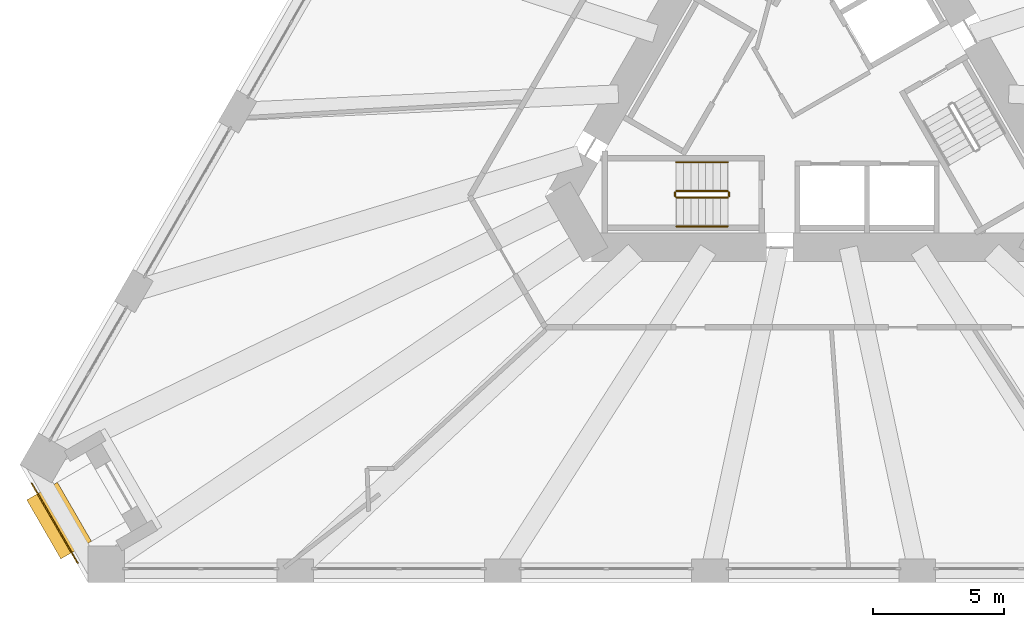
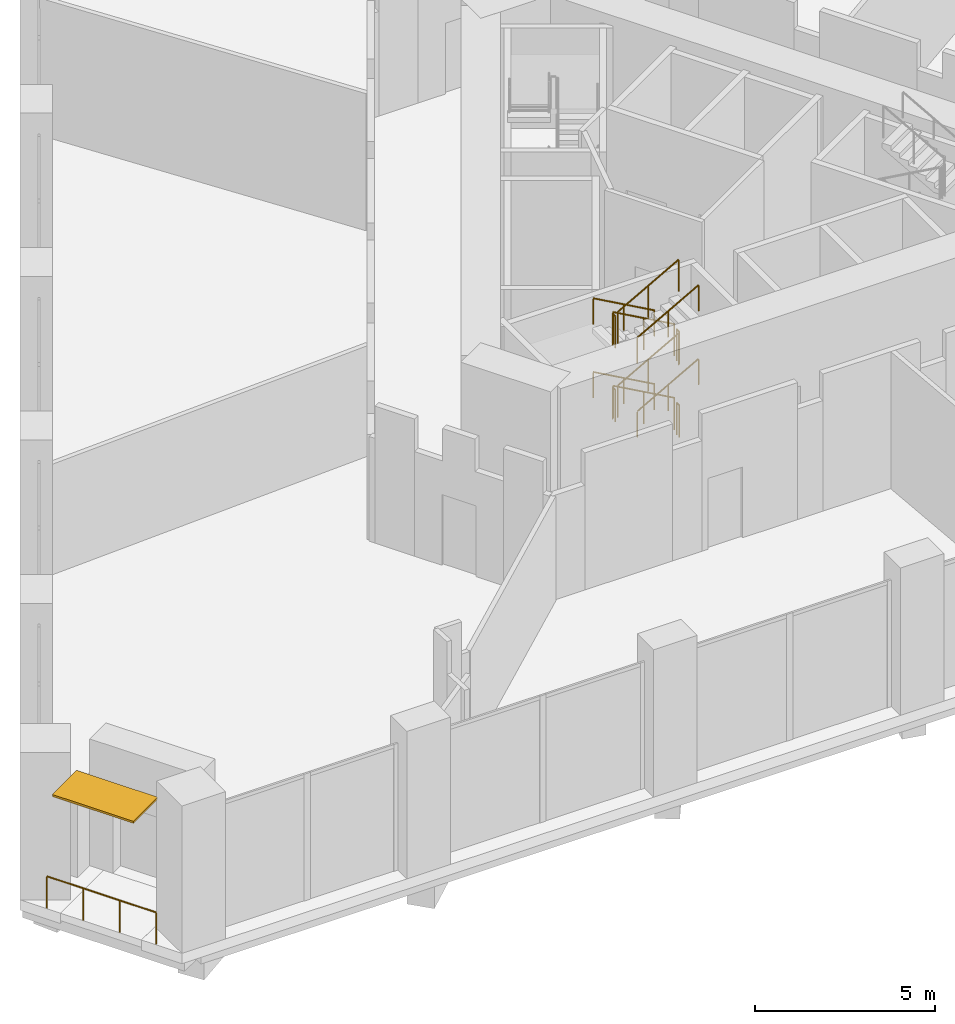
# One storey, part 17 of 20: 13 railings, 1 shading device.
"""IFC4 building model written with IfcOpenShell, lengths in metres."""

import ifcopenshell
import ifcopenshell.guid

model = None  # the IFC model being written
_history = None  # IfcOwnerHistory: only IFC2X3 demands one
_inside = {}  # id of a spatial element -> (the spatial element, [elements in it])
_under = {}  # id of a project, library or spatial element -> (it, [spatial elements below it])
_declared = {}  # id of a project -> (the project, [libraries it declares])
_typed = {}  # id of a type object -> (the type object, [elements of that type])
_made_of = {}  # id of a material, layer set ... -> (it, [elements and type objects made of it])


def new_model(schema):
    """Start an empty IFC model of exactly this schema.

    Asked for "IFC4X3", IfcOpenShell would pick the latest addendum, in which some entities
    have other attributes; the version numbers below select the first issue.
    IFC2X3 requires an IfcOwnerHistory on every rooted entity: one is made here for all.
    """
    global model, _history
    if schema == "IFC4X3":
        model = ifcopenshell.file(schema_version=(4, 3, 0, 0))
    else:
        model = ifcopenshell.file(schema=schema)
    _inside.clear()
    _under.clear()
    _declared.clear()
    _typed.clear()
    _made_of.clear()
    _history = None
    if model.schema == "IFC2X3":
        org = make("IfcOrganization", Name="unknown")
        user = make(
            "IfcPersonAndOrganization",
            ThePerson=make("IfcPerson", FamilyName="unknown"),
            TheOrganization=org,
        )
        app = make(
            "IfcApplication",
            ApplicationDeveloper=org,
            Version="unknown",
            ApplicationFullName="unknown",
            ApplicationIdentifier="unknown",
        )
        _history = make(
            "IfcOwnerHistory",
            OwningUser=user,
            OwningApplication=app,
            ChangeAction="ADDED",
            CreationDate=0,
        )
    return model


def make(cls, **values):
    """One entity of the class cls with the attributes given. An attribute that is None is left unset."""
    return model.create_entity(
        cls, **{name: value for name, value in values.items() if value is not None}
    )


def rooted(cls, **values):
    """An entity with a GlobalId (a new one), such as an element, a storey or a relation."""
    return make(cls, GlobalId=ifcopenshell.guid.new(), OwnerHistory=_history, **values)


def si_unit(unit_type, name, prefix=None):
    """IfcSIUnit, for example si_unit("LENGTHUNIT", "METRE", prefix="MILLI")."""
    return make("IfcSIUnit", UnitType=unit_type, Prefix=prefix, Name=name)


def assignment(units):
    """IfcUnitAssignment: the units of a project."""
    return None if units is None else make("IfcUnitAssignment", Units=units)


def point(xyz):
    """IfcCartesianPoint."""
    return None if xyz is None else make("IfcCartesianPoint", Coordinates=xyz)


def direction(xyz):
    """IfcDirection."""
    return None if xyz is None else make("IfcDirection", DirectionRatios=xyz)


def frame(location, z_axis=None, x_axis=None):
    """IfcAxis2Placement3D, a coordinate frame: its origin and axes. An axis left out is left unset."""
    return make(
        "IfcAxis2Placement3D",
        Location=point(location),
        Axis=direction(z_axis),
        RefDirection=direction(x_axis),
    )


def frame_2d(location, x_axis=None):
    """IfcAxis2Placement2D, a coordinate frame in the plane: its origin and x axis."""
    return make(
        "IfcAxis2Placement2D", Location=point(location), RefDirection=direction(x_axis)
    )


def origin():
    """The frame at (0, 0, 0) with its axes left unset."""
    return frame((0.0, 0.0, 0.0))


def origin_2d():
    """The frame at (0, 0) in the plane with its x axis left unset."""
    return frame_2d((0.0, 0.0))


def place(relative_to, where):
    """IfcLocalPlacement: puts the frame where relative to a parent placement (None: the world)."""
    return make(
        "IfcLocalPlacement", PlacementRelTo=relative_to, RelativePlacement=where
    )


def context(
    kind, dimensions, precision=None, world=None, true_north=None, identifier=None
):
    """IfcGeometricRepresentationContext, for example the 3D "Model" context."""
    return make(
        "IfcGeometricRepresentationContext",
        ContextIdentifier=identifier,
        ContextType=kind,
        CoordinateSpaceDimension=dimensions,
        Precision=precision,
        WorldCoordinateSystem=world,
        TrueNorth=true_north,
    )


def subcontext(parent, identifier, kind, view, scale=None):
    """IfcGeometricRepresentationSubContext, for example "Body" below "Model"."""
    return make(
        "IfcGeometricRepresentationSubContext",
        ContextIdentifier=identifier,
        ContextType=kind,
        ParentContext=parent,
        TargetScale=scale,
        TargetView=view,
    )


def project(units=None, contexts=None):
    """IfcProject with its units and contexts."""
    return rooted(
        "IfcProject",
        Name="project",
        RepresentationContexts=contexts,
        UnitsInContext=assignment(units),
    )


def spatial(cls, under=None, at=None, **own):
    """A site, building, storey or space (cls), placed at a placement, below another one or the project."""
    s = rooted(cls, ObjectPlacement=at, **own)
    if under is not None:
        _under.setdefault(under.id(), (under, []))[1].append(s)
    return s


def profile(cls, at=None, kind="AREA", **sizes):
    """A parametric profile (cls). Its sizes go by their IFC names, for example OverallWidth=200.0."""
    return make(cls, ProfileType=kind, Position=at, **sizes)


def rectangle(**sizes):
    """IfcRectangleProfileDef."""
    return profile("IfcRectangleProfileDef", **sizes)


def circle(**sizes):
    """IfcCircleProfileDef."""
    return profile("IfcCircleProfileDef", **sizes)


def extrude(swept, where, along, depth):
    """IfcExtrudedAreaSolid: the profile swept, set in the frame where, extruded along a direction by depth."""
    return make(
        "IfcExtrudedAreaSolid",
        SweptArea=swept,
        Position=where,
        ExtrudedDirection=direction(along),
        Depth=depth,
    )


def shape(context_of_items, identifier, shape_type, items):
    """IfcShapeRepresentation: the items that make up one representation, for example the "Body"."""
    return make(
        "IfcShapeRepresentation",
        ContextOfItems=context_of_items,
        RepresentationIdentifier=identifier,
        RepresentationType=shape_type,
        Items=items,
    )


def material(Name=None, Category=None):
    """IfcMaterial."""
    return make("IfcMaterial", Name=Name, Category=Category)


def layer(
    of_material, thickness, ventilated=None, Name=None, Category=None, Priority=None
):
    """IfcMaterialLayer: one layer of a wall or slab, of a material (None: an air gap)."""
    return make(
        "IfcMaterialLayer",
        Material=of_material,
        LayerThickness=thickness,
        IsVentilated=ventilated,
        Name=Name,
        Category=Category,
        Priority=Priority,
    )


def layer_set(layers, Name=None):
    """IfcMaterialLayerSet."""
    return make("IfcMaterialLayerSet", MaterialLayers=layers, LayerSetName=Name)


def made_of(thing, what):
    """Note that an element or type object is made of a material, layer set ...; save() writes the relation."""
    if what is not None:
        _made_of.setdefault(what.id(), (what, []))[1].append(thing)
    return thing


def type_object(cls, material=None, **own):
    """A type object (cls), such as IfcWallType, which elements share."""
    return made_of(rooted(cls, **own), material)


def element(
    cls,
    number,
    at=None,
    inside=None,
    cuts=None,
    type_object=None,
    material=None,
    context=None,
    identifier="Body",
    shape_type=None,
    held_by="IfcProductDefinitionShape",
    body=None,
    shapes=None,
    **own,
):
    """One element of the class cls, such as IfcWall. Its Tag is "e" and its number.

    at: its placement. inside: the storey or other place that contains it. cuts: it is an
    opening in that element (IfcRelVoidsElement). A single representation is given by context,
    identifier, shape_type and body (its items); several are given by shapes. held_by: the class
    of the entity that holds the representations. save() writes the other relations.
    """
    e = rooted(cls, Tag="e%d" % number, ObjectPlacement=at, **own)
    if body is not None:
        shapes = [shape(context, identifier, shape_type, body)]
    if shapes is not None:
        e.Representation = make(held_by, Representations=shapes)
    if inside is not None:
        _inside.setdefault(inside.id(), (inside, []))[1].append(e)
    if cuts is not None:
        rooted(
            "IfcRelVoidsElement", RelatingBuildingElement=cuts, RelatedOpeningElement=e
        )
    if type_object is not None:
        _typed.setdefault(type_object.id(), (type_object, []))[1].append(e)
    return made_of(e, material)


def aggregate(whole, parts):
    """IfcRelAggregates: a whole, such as a stair, and the parts it consists of."""
    return rooted("IfcRelAggregates", RelatingObject=whole, RelatedObjects=parts)


def save(model, path):
    """Write the relations noted so far, then the file.

    IfcRelAggregates (storeys below a building ...), IfcRelContainedInSpatialStructure (elements
    in a storey), IfcRelDefinesByType, IfcRelAssociatesMaterial and IfcRelDeclares: one each for
    every whole, place, type object, material and project.
    """
    for whole, parts in _under.values():
        aggregate(whole, parts)
    for where, things in _inside.values():
        rooted(
            "IfcRelContainedInSpatialStructure",
            RelatedElements=things,
            RelatingStructure=where,
        )
    for kind, things in _typed.values():
        rooted("IfcRelDefinesByType", RelatedObjects=things, RelatingType=kind)
    for what, things in _made_of.values():
        rooted("IfcRelAssociatesMaterial", RelatedObjects=things, RelatingMaterial=what)
    for by, libraries in _declared.values():
        rooted("IfcRelDeclares", RelatingContext=by, RelatedDefinitions=libraries)
    model.write(path)


model = new_model("IFC4")

# Units and contexts
model_context = context("Model", 3, precision=1e-05, world=origin(), true_north=direction((0.0, 1.0)))
body_context = subcontext(model_context, "Body", "Model", "MODEL_VIEW")
ifc_project = project(units=[si_unit("LENGTHUNIT", "METRE"), si_unit("AREAUNIT", "SQUARE_METRE"), si_unit("VOLUMEUNIT", "CUBIC_METRE"), si_unit("PLANEANGLEUNIT", "RADIAN"), si_unit("MASSUNIT", "GRAM", prefix="KILO")], contexts=[model_context])

# Site, building, storey
site_placement = place(None, origin())
site = spatial("IfcSite", under=ifc_project, at=site_placement, CompositionType="ELEMENT")
building_placement = place(site_placement, origin())
building = spatial("IfcBuilding", under=site, at=building_placement, Name="Tramontana Tower", CompositionType="ELEMENT")
storey_placement = place(building_placement, frame((0.0, 0.0, 15.0)))
storey = spatial("IfcBuildingStorey", under=building, at=storey_placement, Name="L02", CompositionType="ELEMENT", Elevation=15.0)

# Railing
ifc_material_1 = material(Name="Laminated glass balustrade", Category="glass")
railing_type_1 = type_object("IfcRailingType", Name="GD1 Loggia glass balustrade 1100", PredefinedType="BALUSTRADE", material=ifc_material_1)
railing_1_placement = place(storey_placement, frame((-28.11083984375, -18.25048828125, 0.0)))
element("IfcRailing", 1, at=railing_1_placement, inside=storey, type_object=railing_type_1, Name="Corner loggia balustrade L02 K01", PredefinedType="BALUSTRADE", context=body_context, shape_type="SweptSolid", body=[
    extrude(circle(Radius=0.02392578125, at=origin_2d()), frame((0.0, 0.0, 1.076171875), z_axis=(-0.500010275428, 0.866019471182, 0.0), x_axis=(-0.866019471182, -0.500010275428, 0.0)), (0.0, 0.0, 1.0), 3.5),
    extrude(circle(Radius=0.02099609375, at=origin_2d()), origin(), (0.0, 0.0, 1.0), 1.052001953125),
    extrude(circle(Radius=0.02099609375, at=origin_2d()), frame((-0.583251953125, 1.01025390625, 0.0)), (0.0, 0.0, 1.0), 1.052001953125),
    extrude(circle(Radius=0.02099609375, at=origin_2d()), frame((-1.166748046875, 2.020751953125, 0.0)), (0.0, 0.0, 1.0), 1.052001953125),
    extrude(circle(Radius=0.02099609375, at=origin_2d()), frame((-1.75, 3.031005859375, 0.0)), (0.0, 0.0, 1.0), 1.052001953125),
])

# Shading device
ifc_material_2 = material(Name="Precast concrete 60 MPa", Category="concrete")
ifc_layer = layer(ifc_material_2, 0.070068359375)
ifc_layer_set = layer_set([ifc_layer], Name="SS2 Stone sunshade blade 70")
shading_device_type = type_object("IfcShadingDeviceType", Name="SS2 Stone sunshade blade 70", PredefinedType="USERDEFINED", material=ifc_layer_set)
shading_device_placement = place(storey_placement, frame((-28.81689453125, -16.637451171875, 4.22998046875), z_axis=(0.0, 0.0, 1.0), x_axis=(-0.5, 0.866025403784, 0.0)))
element("IfcShadingDevice", 2, at=shading_device_placement, inside=storey, type_object=shading_device_type, Name="Corner sunshade L02 K01", ObjectType="SUNSHADE", PredefinedType="USERDEFINED", context=body_context, shape_type="SweptSolid", body=[
    extrude(rectangle(XDim=2.60009765625, YDim=1.35009765625, at=origin_2d()), origin(), (0.0, 0.0, 1.0), 0.070068359375),
])

# Railings
ifc_material_3 = material(Name="Painted steel", Category="steel")
railing_type_2 = type_object("IfcRailingType", Name="STAIR GUARD 1100", PredefinedType="GUARDRAIL", material=ifc_material_3)
railing_2_placement = place(storey_placement, frame((-3.280029296875, -4.050048828125, 0.15625)))
element("IfcRailing", 3, at=railing_2_placement, inside=storey, type_object=railing_type_2, Name="L02 ST2 stair guard 1", PredefinedType="GUARDRAIL", context=body_context, shape_type="SweptSolid", body=[
    extrude(circle(Radius=0.02392578125, at=origin_2d()), frame((0.0, 0.0, 1.076171875), z_axis=(-0.873232148454, 0.0, 0.487304437602), x_axis=(0.0, -1.0, 0.0)), (0.0, 0.0, 1.0), 2.244384765625),
    extrude(circle(Radius=0.02099609375, at=origin_2d()), origin(), (0.0, 0.0, 1.0), 1.052001953125),
    extrude(circle(Radius=0.02099609375, at=origin_2d()), frame((-0.97998046875, 0.0, 0.546875)), (0.0, 0.0, 1.0), 1.052001953125),
    extrude(circle(Radius=0.02099609375, at=origin_2d()), frame((-1.9599609375, 0.0, 1.09375)), (0.0, 0.0, 1.0), 1.052001953125),
])
railing_3_placement = place(storey_placement, frame((-5.239990234375, -4.300048828125, 1.40625)))
element("IfcRailing", 4, at=railing_3_placement, inside=storey, type_object=railing_type_2, Name="L02 ST2 stair guard 2", PredefinedType="GUARDRAIL", context=body_context, shape_type="SweptSolid", body=[
    extrude(circle(Radius=0.02392578125, at=origin_2d()), frame((0.0, 0.0, 1.076171875), z_axis=(0.873232148454, 0.0, 0.487304437602), x_axis=(0.0, 1.0, 0.0)), (0.0, 0.0, 1.0), 2.244384765625),
    extrude(circle(Radius=0.02099609375, at=origin_2d()), origin(), (0.0, 0.0, 1.0), 1.052001953125),
    extrude(circle(Radius=0.02099609375, at=origin_2d()), frame((0.97998046875, 0.0, 0.546875)), (0.0, 0.0, 1.0), 1.052001953125),
    extrude(circle(Radius=0.02099609375, at=origin_2d()), frame((1.9599609375, 0.0, 1.09375)), (0.0, 0.0, 1.0), 1.052001953125),
])
railing_4_placement = place(storey_placement, frame((-3.280029296875, -4.050048828125, 2.65625)))
element("IfcRailing", 5, at=railing_4_placement, inside=storey, type_object=railing_type_2, Name="L02 ST2 stair guard 3", PredefinedType="GUARDRAIL", context=body_context, shape_type="SweptSolid", body=[
    extrude(circle(Radius=0.02392578125, at=origin_2d()), frame((0.0, 0.0, 1.076171875), z_axis=(-0.873232148454, 0.0, 0.487304437602), x_axis=(0.0, -1.0, 0.0)), (0.0, 0.0, 1.0), 2.244384765625),
    extrude(circle(Radius=0.02099609375, at=origin_2d()), origin(), (0.0, 0.0, 1.0), 1.052001953125),
    extrude(circle(Radius=0.02099609375, at=origin_2d()), frame((-0.97998046875, 0.0, 0.546875)), (0.0, 0.0, 1.0), 1.052001953125),
    extrude(circle(Radius=0.02099609375, at=origin_2d()), frame((-1.9599609375, 0.0, 1.09375)), (0.0, 0.0, 1.0), 1.052001953125),
])
railing_5_placement = place(storey_placement, frame((-5.239990234375, -4.300048828125, 3.90625)))
element("IfcRailing", 6, at=railing_5_placement, inside=storey, type_object=railing_type_2, Name="L02 ST2 stair guard 4", PredefinedType="GUARDRAIL", context=body_context, shape_type="SweptSolid", body=[
    extrude(circle(Radius=0.02392578125, at=origin_2d()), frame((0.0, 0.0, 1.076171875), z_axis=(0.873232148454, 0.0, 0.487304437602), x_axis=(0.0, 1.0, 0.0)), (0.0, 0.0, 1.0), 2.244384765625),
    extrude(circle(Radius=0.02099609375, at=origin_2d()), origin(), (0.0, 0.0, 1.0), 1.052001953125),
    extrude(circle(Radius=0.02099609375, at=origin_2d()), frame((0.97998046875, 0.0, 0.546875)), (0.0, 0.0, 1.0), 1.052001953125),
    extrude(circle(Radius=0.02099609375, at=origin_2d()), frame((1.9599609375, 0.0, 1.09375)), (0.0, 0.0, 1.0), 1.052001953125),
])
for number, where, name in (
    (7, (-5.2900390625, -4.10009765625, 1.25), "L02 ST2 stair guard 5"),
    (8, (-3.22998046875, -4.10009765625, 2.5), "L02 ST2 stair guard 6"),
    (9, (-5.2900390625, -4.10009765625, 3.75), "L02 ST2 stair guard 7"),
    (10, (-3.22998046875, -4.10009765625, 0.0), "L02 ST2 stair guard 8"),
):
    element("IfcRailing", number, at=place(storey_placement, frame(where)), inside=storey, type_object=railing_type_2, Name=name, PredefinedType="GUARDRAIL", context=body_context, shape_type="SweptSolid", body=[
        extrude(circle(Radius=0.02392578125, at=origin_2d()), frame((0.0, 0.0, 1.076171875), z_axis=(0.0, -1.0, 0.0), x_axis=(1.0, 0.0, 0.0)), (0.0, 0.0, 1.0), 0.14990234375),
        extrude(circle(Radius=0.02099609375, at=origin_2d()), origin(), (0.0, 0.0, 1.0), 1.052001953125),
        extrude(circle(Radius=0.02099609375, at=origin_2d()), frame((0.0, -0.14990234375, 0.0)), (0.0, 0.0, 1.0), 1.052001953125),
    ])
ifc_material_4 = material(Name="Painted steel", Category="steel")
railing_type_3 = type_object("IfcRailingType", Name="STAIR HANDRAIL 900", PredefinedType="HANDRAIL", material=ifc_material_4)
railing_6_placement = place(storey_placement, frame((-3.280029296875, -2.949951171875, 0.15625)))
element("IfcRailing", 11, at=railing_6_placement, inside=storey, type_object=railing_type_3, Name="L02 ST2 stair handrail 1", PredefinedType="HANDRAIL", context=body_context, shape_type="SweptSolid", body=[
    extrude(circle(Radius=0.02392578125, at=origin_2d()), frame((0.0, 0.0, 0.8759765625), z_axis=(-0.873232148454, 0.0, 0.487304437602), x_axis=(0.0, -1.0, 0.0)), (0.0, 0.0, 1.0), 2.244384765625),
    extrude(circle(Radius=0.02099609375, at=origin_2d()), origin(), (0.0, 0.0, 1.0), 0.851806640625),
    extrude(circle(Radius=0.02099609375, at=origin_2d()), frame((-0.97998046875, 0.0, 0.546875)), (0.0, 0.0, 1.0), 0.851806640625),
    extrude(circle(Radius=0.02099609375, at=origin_2d()), frame((-1.9599609375, 0.0, 1.09375)), (0.0, 0.0, 1.0), 0.851806640625),
])
railing_7_placement = place(storey_placement, frame((-5.239990234375, -5.39990234375, 1.40625)))
element("IfcRailing", 12, at=railing_7_placement, inside=storey, type_object=railing_type_3, Name="L02 ST2 stair handrail 2", PredefinedType="HANDRAIL", context=body_context, shape_type="SweptSolid", body=[
    extrude(circle(Radius=0.02392578125, at=origin_2d()), frame((0.0, 0.0, 0.8759765625), z_axis=(0.873232148454, 0.0, 0.487304437602), x_axis=(0.0, 1.0, 0.0)), (0.0, 0.0, 1.0), 2.244384765625),
    extrude(circle(Radius=0.02099609375, at=origin_2d()), origin(), (0.0, 0.0, 1.0), 0.851806640625),
    extrude(circle(Radius=0.02099609375, at=origin_2d()), frame((0.97998046875, 0.0, 0.546875)), (0.0, 0.0, 1.0), 0.851806640625),
    extrude(circle(Radius=0.02099609375, at=origin_2d()), frame((1.9599609375, 0.0, 1.09375)), (0.0, 0.0, 1.0), 0.851806640625),
])
railing_8_placement = place(storey_placement, frame((-3.280029296875, -2.949951171875, 2.65625)))
element("IfcRailing", 13, at=railing_8_placement, inside=storey, type_object=railing_type_3, Name="L02 ST2 stair handrail 3", PredefinedType="HANDRAIL", context=body_context, shape_type="SweptSolid", body=[
    extrude(circle(Radius=0.02392578125, at=origin_2d()), frame((0.0, 0.0, 0.8759765625), z_axis=(-0.873232148454, 0.0, 0.487304437602), x_axis=(0.0, -1.0, 0.0)), (0.0, 0.0, 1.0), 2.244384765625),
    extrude(circle(Radius=0.02099609375, at=origin_2d()), origin(), (0.0, 0.0, 1.0), 0.851806640625),
    extrude(circle(Radius=0.02099609375, at=origin_2d()), frame((-0.97998046875, 0.0, 0.546875)), (0.0, 0.0, 1.0), 0.851806640625),
    extrude(circle(Radius=0.02099609375, at=origin_2d()), frame((-1.9599609375, 0.0, 1.09375)), (0.0, 0.0, 1.0), 0.851806640625),
])
railing_9_placement = place(storey_placement, frame((-5.239990234375, -5.39990234375, 3.90625)))
element("IfcRailing", 14, at=railing_9_placement, inside=storey, type_object=railing_type_3, Name="L02 ST2 stair handrail 4", PredefinedType="HANDRAIL", context=body_context, shape_type="SweptSolid", body=[
    extrude(circle(Radius=0.02392578125, at=origin_2d()), frame((0.0, 0.0, 0.8759765625), z_axis=(0.873232148454, 0.0, 0.487304437602), x_axis=(0.0, 1.0, 0.0)), (0.0, 0.0, 1.0), 2.244384765625),
    extrude(circle(Radius=0.02099609375, at=origin_2d()), origin(), (0.0, 0.0, 1.0), 0.851806640625),
    extrude(circle(Radius=0.02099609375, at=origin_2d()), frame((0.97998046875, 0.0, 0.546875)), (0.0, 0.0, 1.0), 0.851806640625),
    extrude(circle(Radius=0.02099609375, at=origin_2d()), frame((1.9599609375, 0.0, 1.09375)), (0.0, 0.0, 1.0), 0.851806640625),
])

save(model, "model.ifc")
